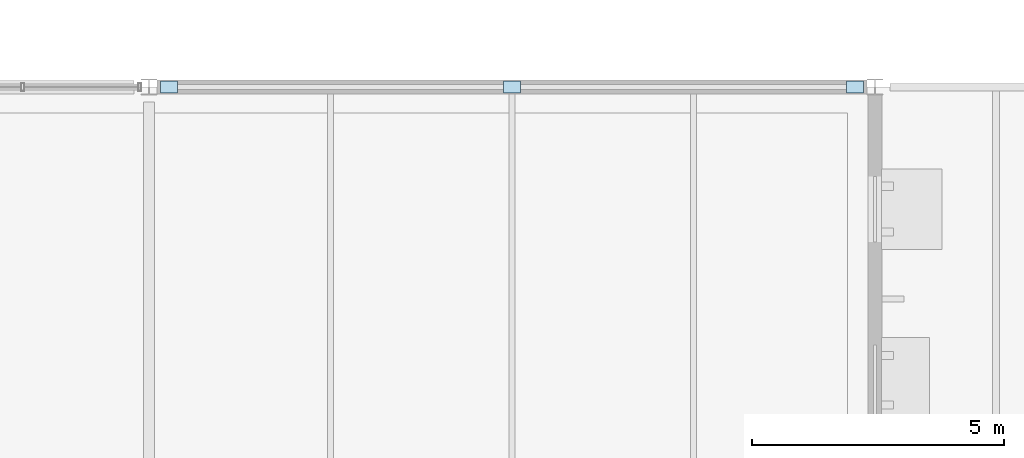
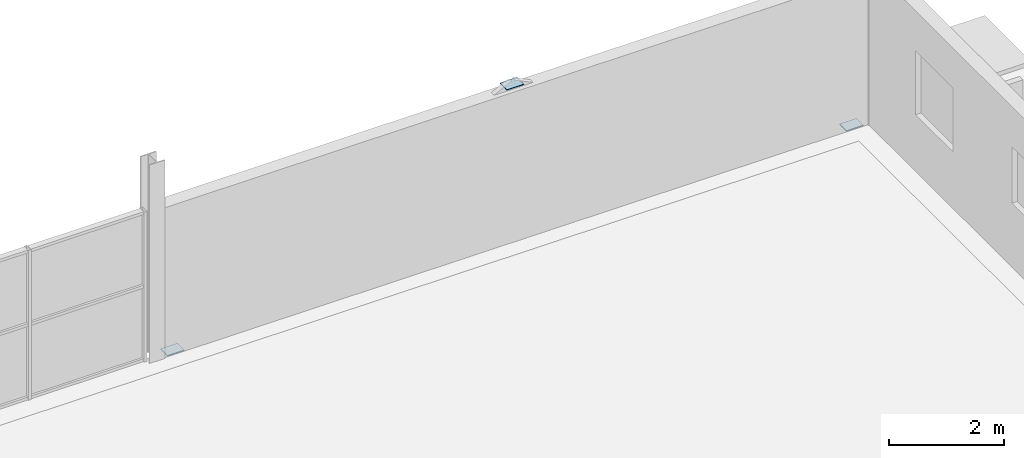
# One storey, part 133 of 161: 3 plates.
"""IFC4 building model written with IfcOpenShell, lengths in metres."""

from ifc_helpers import new_model, si_unit, direction, frame, origin, origin_2d, place, context, subcontext, project, spatial, rectangle, extrude, material, layer, layer_set, type_object, element, save


model = new_model("IFC4")

# Units and contexts
model_context = context("Model", 3, precision=1e-05, world=origin(), true_north=direction((0.0, 1.0)))
body_context = subcontext(model_context, "Body", "Model", "MODEL_VIEW")
ifc_project = project(units=[si_unit("LENGTHUNIT", "METRE"), si_unit("AREAUNIT", "SQUARE_METRE"), si_unit("VOLUMEUNIT", "CUBIC_METRE"), si_unit("PLANEANGLEUNIT", "RADIAN"), si_unit("MASSUNIT", "GRAM", prefix="KILO"), si_unit("THERMODYNAMICTEMPERATUREUNIT", "KELVIN")], contexts=[model_context])

# Site, building, storey
site_placement = place(None, origin())
site = spatial("IfcSite", under=ifc_project, at=site_placement, CompositionType="ELEMENT")
building_placement = place(site_placement, origin())
building = spatial("IfcBuilding", under=site, at=building_placement, Name="Nduvali Passage Aquatics Centre", CompositionType="ELEMENT")
storey_placement = place(building_placement, frame((0.0, 0.0, 4.800048828125)))
storey = spatial("IfcBuildingStorey", under=building, at=storey_placement, Name="L01", CompositionType="ELEMENT", Elevation=4.800048828125)

# Plates
ifc_material = material(Name="Steel S355", Category="steel")
ifc_layer = layer(ifc_material, 0.01611328125, Name="Steel S355")
ifc_layer_set = layer_set([ifc_layer], Name="Steel S355")
plate_type = type_object("IfcPlateType", Name="STR-PLT-CAP1", PredefinedType="SHEET", material=ifc_layer_set)
for number, where, z_axis, x_axis, name in (
    (1, (118.800048828125, 117.60009765625, 3.241943359375), (0.0, 0.0, 1.0), (1.0, 0.0, 0.0), "L01 Chevron Apex Gusset Plate 06"),
    (2, (112.0, 117.60009765625, -0.008056640625), (0.0, 0.0, 1.0), (1.0, 0.0, 0.0), "L01 Brace Foot Gusset Plate 0169"),
    (3, (125.60009765625, 117.60009765625, -0.008056640625), (0.0, 0.0, 1.0), (1.0, 0.0, 0.0), "L01 Brace Foot Gusset Plate 0170"),
):
    element("IfcPlate", number, at=place(storey_placement, frame(where, z_axis=z_axis, x_axis=x_axis)), inside=storey, type_object=plate_type, Name=name, PredefinedType="SHEET", context=body_context, shape_type="SweptSolid", body=[
        extrude(rectangle(XDim=0.340087890625, YDim=0.239990234375, at=origin_2d()), origin(), (0.0, 0.0, 1.0), 0.01611328125),
    ])

save(model, "model.ifc")
